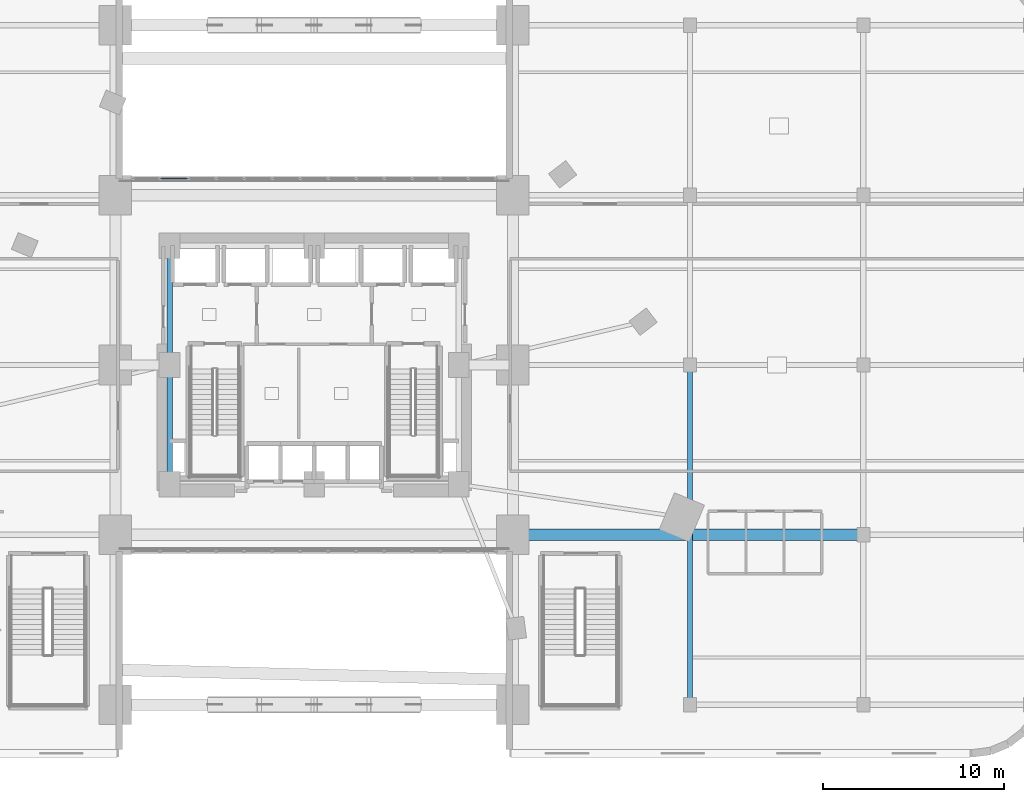
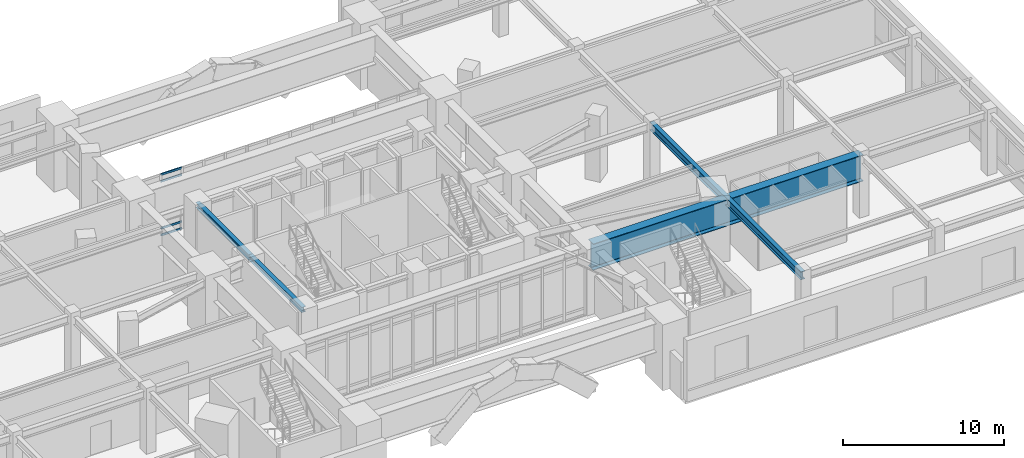
# One storey, part 9 of 25: 4 beams, 4 members, 1 element without a shape of its own.
"""IFC4 building model written with IfcOpenShell, lengths in metres."""

from ifc_helpers import new_model, si_unit, direction, frame, origin, origin_2d, place, context, subcontext, project, spatial, hollow_rectangle, i_section, extrude, material, layer, layer_set, material_profile, profile_set, type_object, element, aggregate, save


model = new_model("IFC4")

# Units and contexts
model_context = context("Model", 3, precision=1e-05, world=origin(), true_north=direction((0.0, 1.0)))
body_context = subcontext(model_context, "Body", "Model", "MODEL_VIEW")
ifc_project = project(units=[si_unit("LENGTHUNIT", "METRE"), si_unit("AREAUNIT", "SQUARE_METRE"), si_unit("VOLUMEUNIT", "CUBIC_METRE"), si_unit("PLANEANGLEUNIT", "RADIAN"), si_unit("MASSUNIT", "GRAM", prefix="KILO")], contexts=[model_context])

# Site, building, storey
site_placement = place(None, origin())
site = spatial("IfcSite", under=ifc_project, at=site_placement, CompositionType="ELEMENT")
building_placement = place(site_placement, origin())
building = spatial("IfcBuilding", under=site, at=building_placement, Name="Ndelora Gate Hotel", CompositionType="ELEMENT")
storey_placement = place(building_placement, frame((0.0, 0.0, 11.0)))
storey = spatial("IfcBuildingStorey", under=building, at=storey_placement, Name="L02", CompositionType="ELEMENT", Elevation=11.0)

# Beams
ifc_material_1 = material(Name="Steel S355", Category="steel")
ifc_material_profile_1 = material_profile(ifc_material_1, i_section(OverallWidth=0.300048828125, OverallDepth=0.39990234375, WebThickness=0.013427734375, FlangeThickness=0.02392578125, FilletRadius=0.027099609375, at=origin_2d()), Name="HEB 400")
ifc_profile_set_1 = profile_set([ifc_material_profile_1], Name="Steel S355")
beam_type_1 = type_object("IfcBeamType", Name="BM-CORE-400", PredefinedType="BEAM", material=ifc_profile_set_1)
for number, where, z_axis, x_axis, name in (
    (1, (-8.0, -6.60009765625, 4.4599609375), (0.0, 1.0, 0.0), (-1.0, 0.0, 0.0), "L02 Core Tie Girder CC1-CC8"),
    (2, (-8.0, 0.0, 4.4599609375), (0.0, 1.0, 0.0), (-1.0, 0.0, 0.0), "L02 Core Tie Girder CC8-CC7"),
):
    element("IfcBeam", number, at=place(storey_placement, frame(where, z_axis=z_axis, x_axis=x_axis)), inside=storey, type_object=beam_type_1, Name=name, PredefinedType="BEAM", context=body_context, shape_type="SweptSolid", body=[
        extrude(i_section(OverallWidth=0.300048828125, OverallDepth=0.39990234375, WebThickness=0.013427734375, FlangeThickness=0.02392578125, FilletRadius=0.027099609375, at=origin_2d()), origin(), (0.0, 0.0, 1.0), 6.60009765625),
    ])
ifc_material_profile_2 = material_profile(ifc_material_1, i_section(OverallWidth=0.300048828125, OverallDepth=0.60009765625, WebThickness=0.015380859375, FlangeThickness=0.030029296875, FilletRadius=0.027099609375, at=origin_2d()), Name="HEB 600")
ifc_profile_set_2 = profile_set([ifc_material_profile_2], Name="Steel S355")
beam_type_2 = type_object("IfcBeamType", Name="BM-POD-600", PredefinedType="BEAM", material=ifc_profile_set_2)
beam_1_placement = place(storey_placement, frame((20.800048828125, -18.800048828125, 4.360107421875), z_axis=(0.0, 1.0, 0.0), x_axis=(-1.0, 0.0, 0.0)))
element("IfcBeam", 3, at=beam_1_placement, inside=storey, type_object=beam_type_2, Name="L02 Podium Longitudinal Girder X=+20.8", PredefinedType="BEAM", context=body_context, shape_type="SweptSolid", body=[
    extrude(i_section(OverallWidth=0.300048828125, OverallDepth=0.60009765625, WebThickness=0.015380859375, FlangeThickness=0.030029296875, FilletRadius=0.027099609375, at=origin_2d()), origin(), (0.0, 0.0, 1.0), 18.800048828125),
])
ifc_material_2 = material(Name="Steel S460", Category="steel")
ifc_material_profile_3 = material_profile(ifc_material_2, i_section(OverallWidth=0.6201171875, OverallDepth=2.0, WebThickness=0.028076171875, FlangeThickness=0.0400390625, FilletRadius=0.02392578125, at=origin_2d()), Name="PG 2000x620x40")
ifc_profile_set_3 = profile_set([ifc_material_profile_3], Name="Steel S460")
beam_type_3 = type_object("IfcBeamType", Name="BM-TR-2000", PredefinedType="BEAM", material=ifc_profile_set_3)
beam_2_placement = place(storey_placement, frame((11.0, -9.39990234375, 3.659912109375), z_axis=(1.0, 0.0, 0.0), x_axis=(0.0, 1.0, 0.0)))
element("IfcBeam", 4, at=beam_2_placement, inside=storey, type_object=beam_type_3, Name="L02 Podium Transverse Girder Y=-9.4", PredefinedType="BEAM", context=body_context, shape_type="SweptSolid", body=[
    extrude(i_section(OverallWidth=0.6201171875, OverallDepth=2.0, WebThickness=0.028076171875, FlangeThickness=0.0400390625, FilletRadius=0.02392578125, at=origin_2d()), origin(), (0.0, 0.0, 1.0), 19.39990234375),
])

# Curtain wall, members
ifc_material_3 = material(Name="Bronze Anodised Unitised Aluminium and Low-E Glass", Category="aluminium")
ifc_layer = layer(ifc_material_3, 0.239990234375)
ifc_layer_set = layer_set([ifc_layer], Name="Bronze Anodised Unitised Aluminium and Low-E Glass")
curtain_wall_type = type_object("IfcCurtainWallType", Name="CW-SYS-1", PredefinedType="NOTDEFINED", material=ifc_layer_set)
curtain_wall_placement = place(storey_placement, origin())
curtain_wall = element("IfcCurtainWall", 5, at=curtain_wall_placement, inside=storey, type_object=curtain_wall_type, Name="L02 North Portal Arch Concourse Curtain Wall CW1", PredefinedType="NOTDEFINED")
ifc_material_4 = material(Name="Bronze Anodised Aluminium 6063-T6", Category="aluminium")
ifc_material_profile_4 = material_profile(ifc_material_4, hollow_rectangle(XDim=0.06494140625, YDim=0.159912109375, WallThickness=0.00390625, InnerFilletRadius=0.00390625, OuterFilletRadius=0.008056640625, at=origin_2d()), Name="ALU 160x65x4")
ifc_profile_set_4 = profile_set([ifc_material_profile_4], Name="Bronze Anodised Aluminium 6063-T6")
member_type = type_object("IfcMemberType", Name="MB-CW-TRN150", PredefinedType="USERDEFINED", material=ifc_profile_set_4)
member_1_placement = place(storey_placement, frame((-7.007568359375, 10.320068359375, 0.032470703125), z_axis=(-1.0, 0.0, 0.0), x_axis=(0.0, -1.0, 0.0)))
member_1 = element("IfcMember", 6, at=member_1_placement, type_object=member_type, Name="CW1 transom 12.1", ObjectType="TRANSOM", PredefinedType="USERDEFINED", context=body_context, shape_type="SweptSolid", body=[
    extrude(hollow_rectangle(XDim=0.06494140625, YDim=0.159912109375, WallThickness=0.00390625, InnerFilletRadius=0.00390625, OuterFilletRadius=0.008056640625, at=origin_2d()), origin(), (0.0, 0.0, 1.0), 1.49267578125),
])
member_2_placement = place(storey_placement, frame((-7.007568359375, 10.320068359375, 0.550048828125), z_axis=(-1.0, 0.0, 0.0), x_axis=(0.0, -1.0, 0.0)))
member_2 = element("IfcMember", 7, at=member_2_placement, type_object=member_type, Name="CW1 transom 12.2", ObjectType="TRANSOM", PredefinedType="USERDEFINED", context=body_context, shape_type="SweptSolid", body=[
    extrude(hollow_rectangle(XDim=0.06494140625, YDim=0.159912109375, WallThickness=0.00390625, InnerFilletRadius=0.00390625, OuterFilletRadius=0.008056640625, at=origin_2d()), origin(), (0.0, 0.0, 1.0), 1.49267578125),
])
member_3_placement = place(storey_placement, frame((-7.007568359375, 10.320068359375, 4.110107421875), z_axis=(-1.0, 0.0, 0.0), x_axis=(0.0, -1.0, 0.0)))
member_3 = element("IfcMember", 8, at=member_3_placement, type_object=member_type, Name="CW1 transom 12.3", ObjectType="TRANSOM", PredefinedType="USERDEFINED", context=body_context, shape_type="SweptSolid", body=[
    extrude(hollow_rectangle(XDim=0.06494140625, YDim=0.159912109375, WallThickness=0.00390625, InnerFilletRadius=0.00390625, OuterFilletRadius=0.008056640625, at=origin_2d()), origin(), (0.0, 0.0, 1.0), 1.49267578125),
])
member_4_placement = place(storey_placement, frame((-7.007568359375, 10.320068359375, 4.62744140625), z_axis=(-1.0, 0.0, 0.0), x_axis=(0.0, -1.0, 0.0)))
member_4 = element("IfcMember", 9, at=member_4_placement, type_object=member_type, Name="CW1 transom 12.4", ObjectType="TRANSOM", PredefinedType="USERDEFINED", context=body_context, shape_type="SweptSolid", body=[
    extrude(hollow_rectangle(XDim=0.06494140625, YDim=0.159912109375, WallThickness=0.00390625, InnerFilletRadius=0.00390625, OuterFilletRadius=0.008056640625, at=origin_2d()), origin(), (0.0, 0.0, 1.0), 1.49267578125),
])
aggregate(curtain_wall, [member_1, member_2, member_3, member_4])

save(model, "model.ifc")
